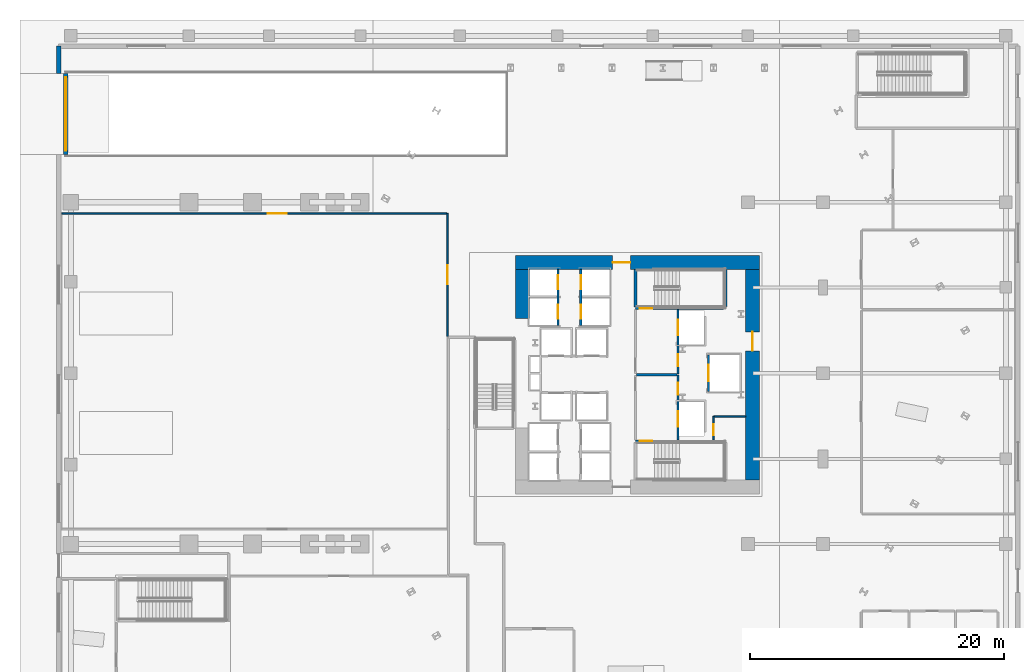
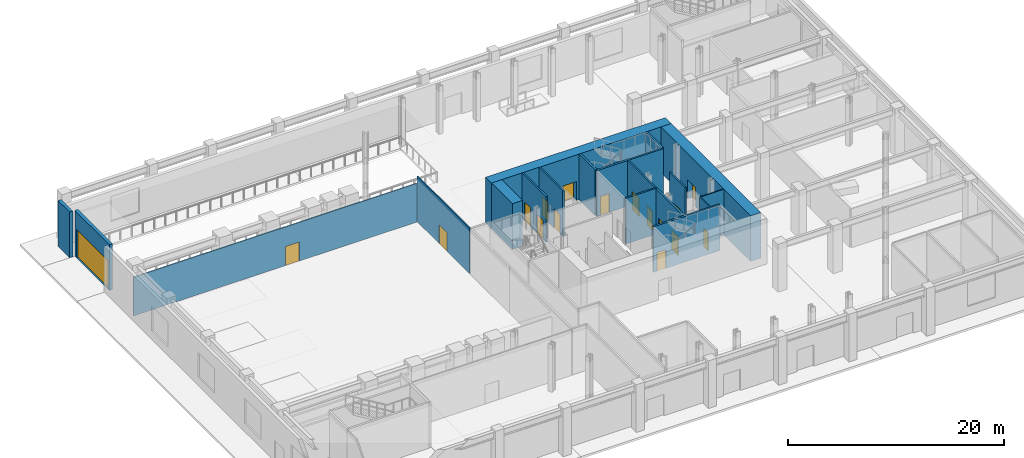
# One storey, part 5 of 18: 19 walls, 17 doors, 17 openings.
"""IFC4 building model written with IfcOpenShell, lengths in metres."""

from ifc_helpers import new_model, si_unit, direction, frame, frame_2d, origin, place, context, subcontext, project, spatial, rectangle, extrude, material, layer, layer_set, type_object, element, fill, save


model = new_model("IFC4")

# Units and contexts
model_context = context("Model", 3, precision=1e-05, world=origin(), true_north=direction((0.0, 1.0)))
body_context = subcontext(model_context, "Body", "Model", "MODEL_VIEW")
ifc_project = project(units=[si_unit("LENGTHUNIT", "METRE"), si_unit("AREAUNIT", "SQUARE_METRE"), si_unit("VOLUMEUNIT", "CUBIC_METRE"), si_unit("PLANEANGLEUNIT", "RADIAN"), si_unit("MASSUNIT", "GRAM", prefix="KILO")], contexts=[model_context])

# Site, building, storey
site_placement = place(None, origin())
site = spatial("IfcSite", under=ifc_project, at=site_placement, CompositionType="ELEMENT")
building_placement = place(site_placement, origin())
building = spatial("IfcBuilding", under=site, at=building_placement, Name="Valkerne Bourse Tower", CompositionType="ELEMENT")
storey_placement = place(building_placement, origin())
storey = spatial("IfcBuildingStorey", under=building, at=storey_placement, Name="L00", CompositionType="ELEMENT", Elevation=0.0)

# Wall, opening, door
ifc_material_1 = material(Name="Concrete C70/85", Category="concrete")
ifc_layer_1 = layer(ifc_material_1, 1.10009765625)
ifc_layer_set_1 = layer_set([ifc_layer_1], Name="Concrete C70/85")
wall_type_1 = type_object("IfcWallType", Name="W-CORE-1100", PredefinedType="SHEAR", material=ifc_layer_set_1)
wall_1_placement = place(storey_placement, frame((37.199951171875, 35.699951171875, 0.0), z_axis=(0.0, 0.0, 1.0), x_axis=(1.0, 0.0, 0.0)))
wall_1 = element("IfcWall", 1, at=wall_1_placement, inside=storey, type_object=wall_type_1, Name="L00 Core Shear Wall NORTH", PredefinedType="SHEAR", context=body_context, shape_type="SweptSolid", body=[
    extrude(rectangle(XDim=19.199951171875, YDim=1.10009765625, at=frame_2d((9.60009765625, 0.0))), origin(), (0.0, 0.0, 1.0), 5.159912109375),
])
opening_1_placement = place(wall_1_placement, frame((7.64990234375, 0.0, 0.0)))
opening_1 = element("IfcOpeningElement", 2, at=opening_1_placement, cuts=wall_1, Name="Opening D-PL-1400", PredefinedType="OPENING", context=body_context, shape_type="SweptSolid", body=[
    extrude(rectangle(XDim=1.39990234375, YDim=2.14990234375, at=frame_2d((0.699951171875, 1.074951171875))), frame((0.0, 0.56005859375, 0.0), z_axis=(0.0, -1.0, 0.0), x_axis=(1.0, 0.0, 0.0)), (0.0, 0.0, 1.0), 1.1201171875),
])
ifc_material_2 = material(Name="Galvanised Painted Steel", Category="steel")
door_type_1 = type_object("IfcDoorType", Name="DR-PLT-1400", OperationType="DOUBLE_DOOR_SINGLE_SWING", PredefinedType="DOOR", material=ifc_material_2)
door_1_placement = place(opening_1_placement, origin())
door_1 = element("IfcDoor", 3, at=door_1_placement, inside=storey, type_object=door_type_1, Name="L00 North Passenger Lift Hall Fire Door", OperationType="DOUBLE_DOOR_SINGLE_SWING", OverallHeight=2.14990234375, OverallWidth=1.39990234375, PredefinedType="DOOR", context=body_context, shape_type="SweptSolid", body=[
    extrude(rectangle(XDim=1.39990234375, YDim=2.14990234375, at=frame_2d((0.699951171875, 1.074951171875))), frame((0.0, 0.02490234375, 0.0), z_axis=(0.0, -1.0, 0.0), x_axis=(1.0, 0.0, 0.0)), (0.0, 0.0, 1.0), 0.050048828125),
])
fill(opening_1, door_1)

wall_2_placement = place(storey_placement, frame((55.85009765625, 18.60009765625, 0.0), z_axis=(0.0, 0.0, 1.0), x_axis=(0.0, 1.0, 0.0)))
wall_2 = element("IfcWall", 4, at=wall_2_placement, inside=storey, type_object=wall_type_1, Name="L00 Core Shear Wall EAST", PredefinedType="SHEAR", context=body_context, shape_type="SweptSolid", body=[
    extrude(rectangle(XDim=16.5498046875, YDim=1.10009765625, at=frame_2d((8.27490234375, 0.0))), origin(), (0.0, 0.0, 1.0), 5.159912109375),
])
opening_2_placement = place(wall_2_placement, frame((10.14990234375, 0.0, 0.0)))
opening_2 = element("IfcOpeningElement", 5, at=opening_2_placement, cuts=wall_2, Name="Opening D-CR-1500", PredefinedType="OPENING", context=body_context, shape_type="SweptSolid", body=[
    extrude(rectangle(XDim=1.5, YDim=2.14990234375, at=frame_2d((0.75, 1.074951171875))), frame((0.0, 0.56005859375, 0.0), z_axis=(0.0, -1.0, 0.0), x_axis=(1.0, 0.0, 0.0)), (0.0, 0.0, 1.0), 1.1201171875),
])
door_type_2 = type_object("IfcDoorType", Name="DR-CORR-1500", OperationType="DOUBLE_DOOR_SINGLE_SWING", PredefinedType="DOOR", material=ifc_material_2)
door_2_placement = place(opening_2_placement, origin())
door_2 = element("IfcDoor", 6, at=door_2_placement, inside=storey, type_object=door_type_2, Name="L00 East Core Service Lobby Fire Door", OperationType="DOUBLE_DOOR_SINGLE_SWING", OverallHeight=2.14990234375, OverallWidth=1.5, PredefinedType="DOOR", context=body_context, shape_type="SweptSolid", body=[
    extrude(rectangle(XDim=1.5, YDim=2.14990234375, at=frame_2d((0.75, 1.074951171875))), frame((0.0, 0.02490234375, 0.0), z_axis=(0.0, -1.0, 0.0), x_axis=(1.0, 0.0, 0.0)), (0.0, 0.0, 1.0), 0.050048828125),
])
fill(opening_2, door_2)

# Wall
wall_3_placement = place(storey_placement, frame((37.75, 31.300048828125, 0.0), z_axis=(0.0, 0.0, 1.0), x_axis=(0.0, 1.0, 0.0)))
element("IfcWall", 7, at=wall_3_placement, inside=storey, type_object=wall_type_1, Name="L00 Core Shear Wall WEST-N", PredefinedType="SHEAR", context=body_context, shape_type="SweptSolid", body=[
    extrude(rectangle(XDim=3.849853515625, YDim=1.10009765625, at=frame_2d((1.9248046875, 0.0))), origin(), (0.0, 0.0, 1.0), 5.159912109375),
])

# Wall, opening, door
ifc_material_3 = material(Name="Gypsum Board Steel-Stud Partition", Category="steel")
ifc_layer_2 = layer(ifc_material_3, 0.117919921875)
ifc_layer_set_2 = layer_set([ifc_layer_2], Name="Gypsum Board Steel-Stud Partition")
wall_type_2 = type_object("IfcWallType", Name="W-CORR-140", PredefinedType="PARTITIONING", material=ifc_layer_set_2)
wall_4_placement = place(storey_placement, frame((52.800048828125, 21.75, 0.0), z_axis=(0.0, 0.0, 1.0), x_axis=(0.0, 1.0, 0.0)))
wall_4 = element("IfcWall", 8, at=wall_4_placement, inside=storey, type_object=wall_type_2, Name="L00 Core SE South-Bay West Wall", PredefinedType="PARTITIONING", context=body_context, shape_type="SweptSolid", body=[
    extrude(rectangle(XDim=1.85009765625, YDim=0.117919921875, at=frame_2d((0.925048828125, 0.0))), origin(), (0.0, 0.0, 1.0), 5.159912109375),
])
opening_3_placement = place(wall_4_placement, frame((0.35009765625, 0.0, 0.0)))
opening_3 = element("IfcOpeningElement", 9, at=opening_3_placement, cuts=wall_4, Name="Opening D-WC-900", PredefinedType="OPENING", context=body_context, shape_type="SweptSolid", body=[
    extrude(rectangle(XDim=0.860107421875, YDim=2.050048828125, at=frame_2d((0.43017578125, 1.02490234375))), frame((0.0, 0.06884765625, 0.0), z_axis=(0.0, -1.0, 0.0), x_axis=(1.0, 0.0, 0.0)), (0.0, 0.0, 1.0), 0.137939453125),
])
ifc_material_4 = material(Name="Architectural White Oak Timber", Category="wood")
door_type_3 = type_object("IfcDoorType", Name="DR-WC-900", OperationType="NOTDEFINED", PredefinedType="DOOR", material=ifc_material_4)
door_3_placement = place(opening_3_placement, origin())
door_3 = element("IfcDoor", 10, at=door_3_placement, inside=storey, type_object=door_type_3, Name="L00 Janitor Store Door", OperationType="SINGLE_SWING_RIGHT", OverallHeight=2.050048828125, OverallWidth=0.860107421875, PredefinedType="DOOR", context=body_context, shape_type="SweptSolid", body=[
    extrude(rectangle(XDim=0.860107421875, YDim=2.050048828125, at=frame_2d((0.43017578125, 1.02490234375))), frame((0.0, 0.02490234375, 0.0), z_axis=(0.0, -1.0, 0.0), x_axis=(1.0, 0.0, 0.0)), (0.0, 0.0, 1.0), 0.050048828125),
])
fill(opening_3, door_3)

# Wall
wall_5_placement = place(storey_placement, frame((52.800048828125, 23.60009765625, 0.0), z_axis=(0.0, 0.0, 1.0), x_axis=(1.0, 0.0, 0.0)))
element("IfcWall", 11, at=wall_5_placement, inside=storey, type_object=wall_type_2, Name="L00 Core SE South-Bay North Wall", PredefinedType="PARTITIONING", context=body_context, shape_type="SweptSolid", body=[
    extrude(rectangle(XDim=2.52001953125, YDim=0.117919921875, at=frame_2d((1.260009765625, 0.0))), origin(), (0.0, 0.0, 1.0), 5.159912109375),
])

# Wall, opening, door
wall_6_placement = place(storey_placement, frame((1.5, 39.580078125, 0.0), z_axis=(0.0, 0.0, 1.0), x_axis=(1.0, 0.0, 0.0)))
wall_6 = element("IfcWall", 12, at=wall_6_placement, inside=storey, type_object=wall_type_2, Name="L00 Exchange Hall North Wall", PredefinedType="PARTITIONING", context=body_context, shape_type="SweptSolid", body=[
    extrude(rectangle(XDim=30.300048828125, YDim=0.117919921875, at=frame_2d((15.14990234375, 0.0))), origin(), (0.0, 0.0, 1.0), 4.364990234375),
])
opening_4_placement = place(wall_6_placement, frame((16.199951171875, 0.0, 0.0)))
opening_4 = element("IfcOpeningElement", 13, at=opening_4_placement, cuts=wall_6, Name="Opening D-CR-1500", PredefinedType="OPENING", context=body_context, shape_type="SweptSolid", body=[
    extrude(rectangle(XDim=1.5, YDim=2.14990234375, at=frame_2d((0.75, 1.074951171875))), frame((0.0, 0.06884765625, 0.0), z_axis=(0.0, -1.0, 0.0), x_axis=(1.0, 0.0, 0.0)), (0.0, 0.0, 1.0), 0.137939453125),
])
door_4_placement = place(opening_4_placement, origin())
door_4 = element("IfcDoor", 14, at=door_4_placement, inside=storey, type_object=door_type_2, Name="L00 Exchange Hall North Door", OperationType="DOUBLE_DOOR_SINGLE_SWING", OverallHeight=2.14990234375, OverallWidth=1.5, PredefinedType="DOOR", context=body_context, shape_type="SweptSolid", body=[
    extrude(rectangle(XDim=1.5, YDim=2.14990234375, at=frame_2d((0.75, 1.074951171875))), frame((0.0, 0.02490234375, 0.0), z_axis=(0.0, -1.0, 0.0), x_axis=(1.0, 0.0, 0.0)), (0.0, 0.0, 1.0), 0.050048828125),
])
fill(opening_4, door_4)

wall_7_placement = place(storey_placement, frame((31.85009765625, 29.89990234375, 0.0), z_axis=(0.0, 0.0, 1.0), x_axis=(0.0, 1.0, 0.0)))
wall_7 = element("IfcWall", 15, at=wall_7_placement, inside=storey, type_object=wall_type_2, Name="L00 Exchange Hall East-North Wall", PredefinedType="PARTITIONING", context=body_context, shape_type="SweptSolid", body=[
    extrude(rectangle(XDim=9.68017578125, YDim=0.117919921875, at=frame_2d((4.840087890625, 0.0))), origin(), (0.0, 0.0, 1.0), 5.159912109375),
])
opening_5_placement = place(wall_7_placement, frame((4.090087890625, 0.0, 0.0)))
opening_5 = element("IfcOpeningElement", 16, at=opening_5_placement, cuts=wall_7, Name="Opening D-CR-1500", PredefinedType="OPENING", context=body_context, shape_type="SweptSolid", body=[
    extrude(rectangle(XDim=1.5, YDim=2.14990234375, at=frame_2d((0.75, 1.074951171875))), frame((0.0, 0.06884765625, 0.0), z_axis=(0.0, -1.0, 0.0), x_axis=(1.0, 0.0, 0.0)), (0.0, 0.0, 1.0), 0.137939453125),
])
door_5_placement = place(opening_5_placement, origin())
door_5 = element("IfcDoor", 17, at=door_5_placement, inside=storey, type_object=door_type_2, Name="L00 Exchange Hall Main Concourse Door", OperationType="DOUBLE_DOOR_SINGLE_SWING", OverallHeight=2.14990234375, OverallWidth=1.5, PredefinedType="DOOR", context=body_context, shape_type="SweptSolid", body=[
    extrude(rectangle(XDim=1.5, YDim=2.14990234375, at=frame_2d((0.75, 1.074951171875))), frame((0.0, 0.02490234375, 0.0), z_axis=(0.0, -1.0, 0.0), x_axis=(1.0, 0.0, 0.0)), (0.0, 0.0, 1.0), 0.050048828125),
])
fill(opening_5, door_5)

ifc_material_5 = material(Name="Indiana Limestone Cladding", Category="masonry")
ifc_layer_3 = layer(ifc_material_5, 0.35009765625)
ifc_layer_set_3 = layer_set([ifc_layer_3], Name="Indiana Limestone Cladding")
wall_type_3 = type_object("IfcWallType", Name="W-EXT-LIMESTONE-350", PredefinedType="STANDARD", material=ifc_layer_set_3)
wall_8_placement = place(storey_placement, frame((1.800048828125, 44.199951171875, 0.0), z_axis=(0.0, 0.0, 1.0), x_axis=(0.0, 1.0, 0.0)))
wall_8 = element("IfcWall", 18, at=wall_8_placement, inside=storey, type_object=wall_type_3, Name="L00 Podium Exterior Wall RMP-PORTAL", PredefinedType="STANDARD", context=body_context, shape_type="SweptSolid", body=[
    extrude(rectangle(XDim=6.400146484375, YDim=0.35009765625, at=frame_2d((3.2001953125, 0.0))), origin(), (0.0, 0.0, 1.0), 5.159912109375),
])
opening_6_placement = place(wall_8_placement, frame((0.300048828125, 0.0, 0.0)))
opening_6 = element("IfcOpeningElement", 19, at=opening_6_placement, cuts=wall_8, Name="Opening VG-6000", PredefinedType="OPENING", context=body_context, shape_type="SweptSolid", body=[
    extrude(rectangle(XDim=5.800048828125, YDim=3.199951171875, at=frame_2d((2.89990234375, 1.60009765625))), frame((0.0, 0.18505859375, 0.0), z_axis=(0.0, -1.0, 0.0), x_axis=(1.0, 0.0, 0.0)), (0.0, 0.0, 1.0), 0.3701171875),
])
door_type_4 = type_object("IfcDoorType", Name="DR-VEH-RAMP-6000", OperationType="ROLLINGUP", PredefinedType="GATE", material=ifc_material_2)
door_6_placement = place(opening_6_placement, origin())
door_6 = element("IfcDoor", 20, at=door_6_placement, inside=storey, type_object=door_type_4, Name="B1 Two-Way Car Park Street Shutter Gate VG-B1-01", OperationType="ROLLINGUP", OverallHeight=3.199951171875, OverallWidth=5.800048828125, PredefinedType="GATE", context=body_context, shape_type="SweptSolid", body=[
    extrude(rectangle(XDim=5.800048828125, YDim=3.199951171875, at=frame_2d((2.89990234375, 1.60009765625))), frame((0.0, 0.02490234375, 0.0), z_axis=(0.0, -1.0, 0.0), x_axis=(1.0, 0.0, 0.0)), (0.0, 0.0, 1.0), 0.050048828125),
])
fill(opening_6, door_6)

# Walls
wall_9_placement = place(storey_placement, frame((1.25, 50.60009765625, 0.0), z_axis=(0.0, 0.0, 1.0), x_axis=(0.0, 1.0, 0.0)))
element("IfcWall", 21, at=wall_9_placement, inside=storey, type_object=wall_type_3, Name="L00 Podium Exterior Wall WEST-N", PredefinedType="STANDARD", context=body_context, shape_type="SweptSolid", body=[
    extrude(rectangle(XDim=2.14990234375, YDim=0.35009765625, at=frame_2d((1.074951171875, 0.0))), origin(), (0.0, 0.0, 1.0), 5.159912109375),
])
ifc_material_6 = material(Name="Gypsum Fire-Rated Shaftwall", Category="gypsum")
ifc_layer_4 = layer(ifc_material_6, 0.179931640625)
ifc_layer_set_4 = layer_set([ifc_layer_4], Name="Gypsum Fire-Rated Shaftwall")
wall_type_4 = type_object("IfcWallType", Name="W-FSAE-180", PredefinedType="PARTITIONING", material=ifc_layer_set_4)
wall_10_placement = place(storey_placement, frame((46.739990234375, 26.8798828125, 0.0), z_axis=(0.0, 0.0, 1.0), x_axis=(1.0, 0.0, 0.0)))
element("IfcWall", 22, at=wall_10_placement, inside=storey, type_object=wall_type_4, Name="L00 FSAE-1/2 Lobby Dividing Fire Wall", PredefinedType="PARTITIONING", context=body_context, shape_type="SweptSolid", body=[
    extrude(rectangle(XDim=3.169921875, YDim=0.179931640625, at=frame_2d((1.5849609375, 0.0))), origin(), (0.0, 0.0, 1.0), 5.159912109375),
])

# Wall, openings, doors
wall_11_placement = place(storey_placement, frame((50.0, 21.75, 0.0), z_axis=(0.0, 0.0, 1.0), x_axis=(0.0, 1.0, 0.0)))
wall_11 = element("IfcWall", 23, at=wall_11_placement, inside=storey, type_object=wall_type_4, Name="L00 FSAE-1 Lobby & Shaft Front Wall", PredefinedType="PARTITIONING", context=body_context, shape_type="SweptSolid", body=[
    extrude(rectangle(XDim=5.090087890625, YDim=0.179931640625, at=frame_2d((2.544921875, 0.0))), origin(), (0.0, 0.0, 1.0), 5.159912109375),
])
opening_7_placement = place(wall_11_placement, frame((1.050048828125, 0.0, 0.0)))
opening_7 = element("IfcOpeningElement", 24, at=opening_7_placement, cuts=wall_11, Name="Opening LD-1200", PredefinedType="OPENING", context=body_context, shape_type="SweptSolid", body=[
    extrude(rectangle(XDim=1.199951171875, YDim=2.14990234375, at=frame_2d((0.60009765625, 1.074951171875))), frame((0.0, 0.099853515625, 0.0), z_axis=(0.0, -1.0, 0.0), x_axis=(1.0, 0.0, 0.0)), (0.0, 0.0, 1.0), 0.199951171875),
])
opening_8_placement = place(wall_11_placement, frame((3.550048828125, 0.0, 0.0)))
opening_8 = element("IfcOpeningElement", 25, at=opening_8_placement, cuts=wall_11, Name="Opening D-FS-950", PredefinedType="OPENING", context=body_context, shape_type="SweptSolid", body=[
    extrude(rectangle(XDim=0.949951171875, YDim=2.10009765625, at=frame_2d((0.47509765625, 1.050048828125))), frame((0.0, 0.099853515625, 0.0), z_axis=(0.0, -1.0, 0.0), x_axis=(1.0, 0.0, 0.0)), (0.0, 0.0, 1.0), 0.199951171875),
])
door_type_5 = type_object("IfcDoorType", Name="DR-FSAE-950", OperationType="NOTDEFINED", PredefinedType="DOOR", material=ifc_material_2)
door_7_placement = place(opening_8_placement, origin())
door_7 = element("IfcDoor", 26, at=door_7_placement, inside=storey, type_object=door_type_5, Name="L00 FSAE-1 Lobby Corridor Fire Door", OperationType="SINGLE_SWING_LEFT", OverallHeight=2.10009765625, OverallWidth=0.949951171875, PredefinedType="DOOR", context=body_context, shape_type="SweptSolid", body=[
    extrude(rectangle(XDim=0.949951171875, YDim=2.10009765625, at=frame_2d((0.47509765625, 1.050048828125))), frame((0.0, 0.02490234375, 0.0), z_axis=(0.0, -1.0, 0.0), x_axis=(1.0, 0.0, 0.0)), (0.0, 0.0, 1.0), 0.050048828125),
])
fill(opening_8, door_7)
ifc_material_7 = material(Name="Stainless Steel AISI 316", Category="steel")
door_type_6 = type_object("IfcDoorType", Name="DR-LIFT-1200", OperationType="DOUBLE_DOOR_SLIDING", PredefinedType="DOOR", material=ifc_material_7)
door_8_placement = place(opening_7_placement, origin())
door_8 = element("IfcDoor", 27, at=door_8_placement, inside=storey, type_object=door_type_6, Name="L00 FSAE-1 Firefighting Lift Landing Door", OperationType="DOUBLE_DOOR_SLIDING", OverallHeight=2.14990234375, OverallWidth=1.199951171875, PredefinedType="DOOR", context=body_context, shape_type="SweptSolid", body=[
    extrude(rectangle(XDim=1.199951171875, YDim=2.14990234375, at=frame_2d((0.60009765625, 1.074951171875))), frame((0.0, 0.02490234375, 0.0), z_axis=(0.0, -1.0, 0.0), x_axis=(1.0, 0.0, 0.0)), (0.0, 0.0, 1.0), 0.050048828125),
])
fill(opening_7, door_8)

wall_12_placement = place(storey_placement, frame((50.0, 26.919921875, 0.0), z_axis=(0.0, 0.0, 1.0), x_axis=(0.0, 1.0, 0.0)))
wall_12 = element("IfcWall", 28, at=wall_12_placement, inside=storey, type_object=wall_type_4, Name="L00 FSAE-2 Lobby & Shaft Front Wall", PredefinedType="PARTITIONING", context=body_context, shape_type="SweptSolid", body=[
    extrude(rectangle(XDim=5.080078125, YDim=0.179931640625, at=frame_2d((2.5400390625, 0.0))), origin(), (0.0, 0.0, 1.0), 5.159912109375),
])
opening_9_placement = place(wall_12_placement, frame((3.080078125, 0.0, 0.0)))
opening_9 = element("IfcOpeningElement", 29, at=opening_9_placement, cuts=wall_12, Name="Opening LD-1200", PredefinedType="OPENING", context=body_context, shape_type="SweptSolid", body=[
    extrude(rectangle(XDim=1.199951171875, YDim=2.14990234375, at=frame_2d((0.60009765625, 1.074951171875))), frame((0.0, 0.099853515625, 0.0), z_axis=(0.0, -1.0, 0.0), x_axis=(1.0, 0.0, 0.0)), (0.0, 0.0, 1.0), 0.199951171875),
])
opening_10_placement = place(wall_12_placement, frame((0.6298828125, 0.0, 0.0)))
opening_10 = element("IfcOpeningElement", 30, at=opening_10_placement, cuts=wall_12, Name="Opening D-FS-950", PredefinedType="OPENING", context=body_context, shape_type="SweptSolid", body=[
    extrude(rectangle(XDim=0.949951171875, YDim=2.10009765625, at=frame_2d((0.47509765625, 1.050048828125))), frame((0.0, 0.099853515625, 0.0), z_axis=(0.0, -1.0, 0.0), x_axis=(1.0, 0.0, 0.0)), (0.0, 0.0, 1.0), 0.199951171875),
])
door_9_placement = place(opening_10_placement, origin())
door_9 = element("IfcDoor", 31, at=door_9_placement, inside=storey, type_object=door_type_5, Name="L00 FSAE-2 Lobby Corridor Fire Door", OperationType="SINGLE_SWING_LEFT", OverallHeight=2.10009765625, OverallWidth=0.949951171875, PredefinedType="DOOR", context=body_context, shape_type="SweptSolid", body=[
    extrude(rectangle(XDim=0.949951171875, YDim=2.10009765625, at=frame_2d((0.47509765625, 1.050048828125))), frame((0.0, 0.02490234375, 0.0), z_axis=(0.0, -1.0, 0.0), x_axis=(1.0, 0.0, 0.0)), (0.0, 0.0, 1.0), 0.050048828125),
])
fill(opening_10, door_9)
door_10_placement = place(opening_9_placement, origin())
door_10 = element("IfcDoor", 32, at=door_10_placement, inside=storey, type_object=door_type_6, Name="L00 FSAE-2 Firefighting Lift Landing Door", OperationType="DOUBLE_DOOR_SLIDING", OverallHeight=2.14990234375, OverallWidth=1.199951171875, PredefinedType="DOOR", context=body_context, shape_type="SweptSolid", body=[
    extrude(rectangle(XDim=1.199951171875, YDim=2.14990234375, at=frame_2d((0.60009765625, 1.074951171875))), frame((0.0, 0.02490234375, 0.0), z_axis=(0.0, -1.0, 0.0), x_axis=(1.0, 0.0, 0.0)), (0.0, 0.0, 1.0), 0.050048828125),
])
fill(opening_9, door_10)

# Wall, opening, door
ifc_material_8 = material(Name="CMU Blockwork Masonry 200mm", Category="masonry")
ifc_layer_5 = layer(ifc_material_8, 0.179931640625)
ifc_layer_set_5 = layer_set([ifc_layer_5], Name="CMU Blockwork Masonry 200mm")
wall_type_5 = type_object("IfcWallType", Name="W-LFT-180", PredefinedType="SOLIDWALL", material=ifc_layer_set_5)
wall_13_placement = place(storey_placement, frame((52.39990234375, 25.550048828125, 0.0), z_axis=(0.0, 0.0, 1.0), x_axis=(0.0, 1.0, 0.0)))
wall_13 = element("IfcWall", 33, at=wall_13_placement, inside=storey, type_object=wall_type_5, Name="L00 Service Lift SV-1 Front Wall", PredefinedType="SOLIDWALL", context=body_context, shape_type="SweptSolid", body=[
    extrude(rectangle(XDim=2.89990234375, YDim=0.179931640625, at=frame_2d((1.449951171875, 0.0))), origin(), (0.0, 0.0, 1.0), 5.159912109375),
])
opening_11_placement = place(wall_13_placement, frame((0.800048828125, 0.0, 0.0)))
opening_11 = element("IfcOpeningElement", 34, at=opening_11_placement, cuts=wall_13, Name="Opening LD-1300", PredefinedType="OPENING", context=body_context, shape_type="SweptSolid", body=[
    extrude(rectangle(XDim=1.300048828125, YDim=2.14990234375, at=frame_2d((0.64990234375, 1.074951171875))), frame((0.0, 0.099853515625, 0.0), z_axis=(0.0, -1.0, 0.0), x_axis=(1.0, 0.0, 0.0)), (0.0, 0.0, 1.0), 0.199951171875),
])
door_type_7 = type_object("IfcDoorType", Name="DR-LIFT-1300", OperationType="DOUBLE_DOOR_SLIDING", PredefinedType="DOOR", material=ifc_material_7)
door_11_placement = place(opening_11_placement, origin())
door_11 = element("IfcDoor", 35, at=door_11_placement, inside=storey, type_object=door_type_7, Name="L00 Service Lift SV-1 Landing Door", OperationType="DOUBLE_DOOR_SLIDING", OverallHeight=2.14990234375, OverallWidth=1.300048828125, PredefinedType="DOOR", context=body_context, shape_type="SweptSolid", body=[
    extrude(rectangle(XDim=1.300048828125, YDim=2.14990234375, at=frame_2d((0.64990234375, 1.074951171875))), frame((0.0, 0.02490234375, 0.0), z_axis=(0.0, -1.0, 0.0), x_axis=(1.0, 0.0, 0.0)), (0.0, 0.0, 1.0), 0.050048828125),
])
fill(opening_11, door_11)

# Wall, openings, doors
wall_14_placement = place(storey_placement, frame((40.550048828125, 30.75, 0.0), z_axis=(0.0, 0.0, 1.0), x_axis=(0.0, 1.0, 0.0)))
wall_14 = element("IfcWall", 36, at=wall_14_placement, inside=storey, type_object=wall_type_5, Name="L00 Mid-Zone West Cars Front Wall", PredefinedType="SOLIDWALL", context=body_context, shape_type="SweptSolid", body=[
    extrude(rectangle(XDim=4.39990234375, YDim=0.179931640625, at=frame_2d((2.199951171875, 0.0))), origin(), (0.0, 0.0, 1.0), 5.159912109375),
])
opening_12_placement = place(wall_14_placement, frame((0.550048828125, 0.0, 0.0)))
opening_12 = element("IfcOpeningElement", 37, at=opening_12_placement, cuts=wall_14, Name="Opening LD-1100", PredefinedType="OPENING", context=body_context, shape_type="SweptSolid", body=[
    extrude(rectangle(XDim=1.10009765625, YDim=2.14990234375, at=frame_2d((0.550048828125, 1.074951171875))), frame((0.0, 0.099853515625, 0.0), z_axis=(0.0, -1.0, 0.0), x_axis=(1.0, 0.0, 0.0)), (0.0, 0.0, 1.0), 0.199951171875),
])
opening_13_placement = place(wall_14_placement, frame((2.85009765625, 0.0, 0.0)))
opening_13 = element("IfcOpeningElement", 38, at=opening_13_placement, cuts=wall_14, Name="Opening LD-1100", PredefinedType="OPENING", context=body_context, shape_type="SweptSolid", body=[
    extrude(rectangle(XDim=1.10009765625, YDim=2.14990234375, at=frame_2d((0.550048828125, 1.074951171875))), frame((0.0, 0.099853515625, 0.0), z_axis=(0.0, -1.0, 0.0), x_axis=(1.0, 0.0, 0.0)), (0.0, 0.0, 1.0), 0.199951171875),
])
door_type_8 = type_object("IfcDoorType", Name="DR-LIFT-1100", OperationType="DOUBLE_DOOR_SLIDING", PredefinedType="DOOR", material=ifc_material_7)
door_12_placement = place(opening_12_placement, origin())
door_12 = element("IfcDoor", 39, at=door_12_placement, inside=storey, type_object=door_type_8, Name="L00 Passenger Lift PL-M1 Sliding Landing Door", OperationType="DOUBLE_DOOR_SLIDING", OverallHeight=2.14990234375, OverallWidth=1.10009765625, PredefinedType="DOOR", context=body_context, shape_type="SweptSolid", body=[
    extrude(rectangle(XDim=1.10009765625, YDim=2.14990234375, at=frame_2d((0.550048828125, 1.074951171875))), frame((0.0, 0.02490234375, 0.0), z_axis=(0.0, -1.0, 0.0), x_axis=(1.0, 0.0, 0.0)), (0.0, 0.0, 1.0), 0.050048828125),
])
fill(opening_12, door_12)
door_13_placement = place(opening_13_placement, origin())
door_13 = element("IfcDoor", 40, at=door_13_placement, inside=storey, type_object=door_type_8, Name="L00 Passenger Lift PL-M2 Sliding Landing Door", OperationType="DOUBLE_DOOR_SLIDING", OverallHeight=2.14990234375, OverallWidth=1.10009765625, PredefinedType="DOOR", context=body_context, shape_type="SweptSolid", body=[
    extrude(rectangle(XDim=1.10009765625, YDim=2.14990234375, at=frame_2d((0.550048828125, 1.074951171875))), frame((0.0, 0.02490234375, 0.0), z_axis=(0.0, -1.0, 0.0), x_axis=(1.0, 0.0, 0.0)), (0.0, 0.0, 1.0), 0.050048828125),
])
fill(opening_13, door_13)

wall_15_placement = place(storey_placement, frame((42.35009765625, 30.75, 0.0), z_axis=(0.0, 0.0, 1.0), x_axis=(0.0, 1.0, 0.0)))
wall_15 = element("IfcWall", 41, at=wall_15_placement, inside=storey, type_object=wall_type_5, Name="L00 Mid-Zone East Cars Front Wall", PredefinedType="SOLIDWALL", context=body_context, shape_type="SweptSolid", body=[
    extrude(rectangle(XDim=4.39990234375, YDim=0.179931640625, at=frame_2d((2.199951171875, 0.0))), origin(), (0.0, 0.0, 1.0), 5.159912109375),
])
opening_14_placement = place(wall_15_placement, frame((0.550048828125, 0.0, 0.0)))
opening_14 = element("IfcOpeningElement", 42, at=opening_14_placement, cuts=wall_15, Name="Opening LD-1100", PredefinedType="OPENING", context=body_context, shape_type="SweptSolid", body=[
    extrude(rectangle(XDim=1.10009765625, YDim=2.14990234375, at=frame_2d((0.550048828125, 1.074951171875))), frame((0.0, 0.099853515625, 0.0), z_axis=(0.0, -1.0, 0.0), x_axis=(1.0, 0.0, 0.0)), (0.0, 0.0, 1.0), 0.199951171875),
])
opening_15_placement = place(wall_15_placement, frame((2.85009765625, 0.0, 0.0)))
opening_15 = element("IfcOpeningElement", 43, at=opening_15_placement, cuts=wall_15, Name="Opening LD-1100", PredefinedType="OPENING", context=body_context, shape_type="SweptSolid", body=[
    extrude(rectangle(XDim=1.10009765625, YDim=2.14990234375, at=frame_2d((0.550048828125, 1.074951171875))), frame((0.0, 0.099853515625, 0.0), z_axis=(0.0, -1.0, 0.0), x_axis=(1.0, 0.0, 0.0)), (0.0, 0.0, 1.0), 0.199951171875),
])
door_14_placement = place(opening_14_placement, origin())
door_14 = element("IfcDoor", 44, at=door_14_placement, inside=storey, type_object=door_type_8, Name="L00 Passenger Lift PL-M3 Sliding Landing Door", OperationType="DOUBLE_DOOR_SLIDING", OverallHeight=2.14990234375, OverallWidth=1.10009765625, PredefinedType="DOOR", context=body_context, shape_type="SweptSolid", body=[
    extrude(rectangle(XDim=1.10009765625, YDim=2.14990234375, at=frame_2d((0.550048828125, 1.074951171875))), frame((0.0, 0.02490234375, 0.0), z_axis=(0.0, -1.0, 0.0), x_axis=(1.0, 0.0, 0.0)), (0.0, 0.0, 1.0), 0.050048828125),
])
fill(opening_14, door_14)
door_15_placement = place(opening_15_placement, origin())
door_15 = element("IfcDoor", 45, at=door_15_placement, inside=storey, type_object=door_type_8, Name="L00 Passenger Lift PL-M4 Sliding Landing Door", OperationType="DOUBLE_DOOR_SLIDING", OverallHeight=2.14990234375, OverallWidth=1.10009765625, PredefinedType="DOOR", context=body_context, shape_type="SweptSolid", body=[
    extrude(rectangle(XDim=1.10009765625, YDim=2.14990234375, at=frame_2d((0.550048828125, 1.074951171875))), frame((0.0, 0.02490234375, 0.0), z_axis=(0.0, -1.0, 0.0), x_axis=(1.0, 0.0, 0.0)), (0.0, 0.0, 1.0), 0.050048828125),
])
fill(opening_15, door_15)

# Wall, opening, door
ifc_material_9 = material(Name="Concrete C40/50", Category="concrete")
ifc_layer_6 = layer(ifc_material_9, 0.199951171875)
ifc_layer_set_6 = layer_set([ifc_layer_6], Name="Concrete C40/50")
wall_type_6 = type_object("IfcWallType", Name="W-SHF-200", PredefinedType="SHEAR", material=ifc_layer_set_6)
wall_16_placement = place(storey_placement, frame((46.64990234375, 21.64990234375, 0.0), z_axis=(0.0, 0.0, 1.0), x_axis=(1.0, 0.0, 0.0)))
wall_16 = element("IfcWall", 46, at=wall_16_placement, inside=storey, type_object=wall_type_6, Name="L00 Exit Stair ST-1 Structural Shaft Wall North", PredefinedType="SHEAR", context=body_context, shape_type="SweptSolid", body=[
    extrude(rectangle(XDim=7.10009765625, YDim=0.199951171875, at=frame_2d((3.550048828125, 0.0))), origin(), (0.0, 0.0, 1.0), 5.159912109375),
])
opening_16_placement = place(wall_16_placement, frame((0.35009765625, 0.0, 0.0)))
opening_16 = element("IfcOpeningElement", 47, at=opening_16_placement, cuts=wall_16, Name="Opening D-ST-950", PredefinedType="OPENING", context=body_context, shape_type="SweptSolid", body=[
    extrude(rectangle(XDim=0.949951171875, YDim=2.10009765625, at=frame_2d((0.47509765625, 1.050048828125))), frame((0.0, 0.10986328125, 0.0), z_axis=(0.0, -1.0, 0.0), x_axis=(1.0, 0.0, 0.0)), (0.0, 0.0, 1.0), 0.219970703125),
])
door_type_9 = type_object("IfcDoorType", Name="DR-STAIR-950", OperationType="NOTDEFINED", PredefinedType="DOOR", material=ifc_material_2)
door_16_placement = place(opening_16_placement, origin())
door_16 = element("IfcDoor", 48, at=door_16_placement, inside=storey, type_object=door_type_9, Name="L00 Exit Stair ST-1 Door", OperationType="SINGLE_SWING_RIGHT", OverallHeight=2.10009765625, OverallWidth=0.949951171875, PredefinedType="DOOR", context=body_context, shape_type="SweptSolid", body=[
    extrude(rectangle(XDim=0.949951171875, YDim=2.10009765625, at=frame_2d((0.47509765625, 1.050048828125))), frame((0.0, 0.02490234375, 0.0), z_axis=(0.0, -1.0, 0.0), x_axis=(1.0, 0.0, 0.0)), (0.0, 0.0, 1.0), 0.050048828125),
])
fill(opening_16, door_16)

wall_17_placement = place(storey_placement, frame((46.64990234375, 32.10009765625, 0.0), z_axis=(0.0, 0.0, 1.0), x_axis=(1.0, 0.0, 0.0)))
wall_17 = element("IfcWall", 49, at=wall_17_placement, inside=storey, type_object=wall_type_6, Name="L00 Exit Stair ST-2 Structural Shaft Wall South", PredefinedType="SHEAR", context=body_context, shape_type="SweptSolid", body=[
    extrude(rectangle(XDim=7.10009765625, YDim=0.199951171875, at=frame_2d((3.550048828125, 0.0))), origin(), (0.0, 0.0, 1.0), 5.159912109375),
])
opening_17_placement = place(wall_17_placement, frame((0.35009765625, 0.0, 0.0)))
opening_17 = element("IfcOpeningElement", 50, at=opening_17_placement, cuts=wall_17, Name="Opening D-ST-950", PredefinedType="OPENING", context=body_context, shape_type="SweptSolid", body=[
    extrude(rectangle(XDim=0.949951171875, YDim=2.10009765625, at=frame_2d((0.47509765625, 1.050048828125))), frame((0.0, 0.10986328125, 0.0), z_axis=(0.0, -1.0, 0.0), x_axis=(1.0, 0.0, 0.0)), (0.0, 0.0, 1.0), 0.219970703125),
])
door_17_placement = place(opening_17_placement, origin())
door_17 = element("IfcDoor", 51, at=door_17_placement, inside=storey, type_object=door_type_9, Name="L00 Exit Stair ST-2 Door", OperationType="SINGLE_SWING_RIGHT", OverallHeight=2.10009765625, OverallWidth=0.949951171875, PredefinedType="DOOR", context=body_context, shape_type="SweptSolid", body=[
    extrude(rectangle(XDim=0.949951171875, YDim=2.10009765625, at=frame_2d((0.47509765625, 1.050048828125))), frame((0.0, 0.02490234375, 0.0), z_axis=(0.0, -1.0, 0.0), x_axis=(1.0, 0.0, 0.0)), (0.0, 0.0, 1.0), 0.050048828125),
])
fill(opening_17, door_17)

# Walls
for number, where, z_axis, x_axis, name in (
    (52, (46.64990234375, 32.199951171875, 0.0), (0.0, 0.0, 1.0), (0.0, 1.0, 0.0), "L00 Exit Stair ST-2 Structural Shaft Wall West"),
    (53, (53.75, 32.199951171875, 0.0), (0.0, 0.0, 1.0), (0.0, 1.0, 0.0), "L00 Exit Stair ST-2 Structural Shaft Wall East"),
):
    element("IfcWall", number, at=place(storey_placement, frame(where, z_axis=z_axis, x_axis=x_axis)), inside=storey, type_object=wall_type_6, Name=name, PredefinedType="SHEAR", context=body_context, shape_type="SweptSolid", body=[
        extrude(rectangle(XDim=2.949951171875, YDim=0.199951171875, at=frame_2d((1.47509765625, 0.0))), origin(), (0.0, 0.0, 1.0), 5.159912109375),
    ])

save(model, "model.ifc")
